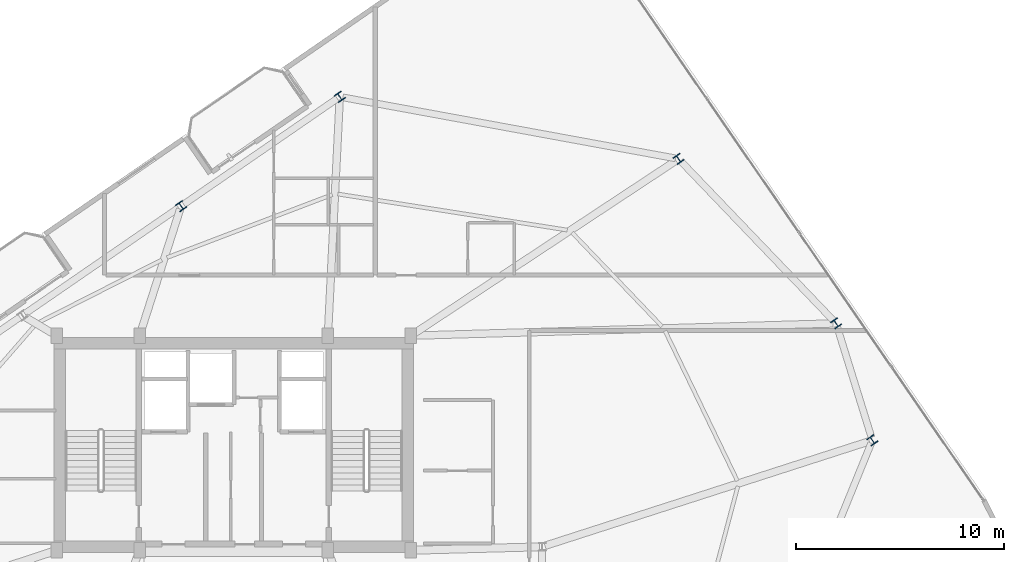
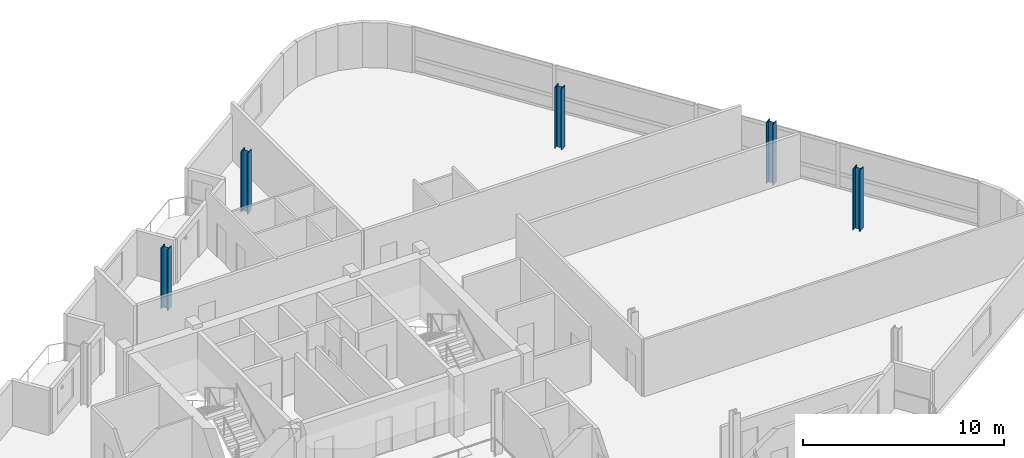
# One storey, part 2 of 21: 5 columns.
"""IFC4 building model written with IfcOpenShell, lengths in metres."""

from ifc_helpers import new_model, si_unit, direction, frame, origin, origin_2d, place, context, subcontext, project, spatial, i_section, extrude, material, material_profile, profile_set, type_object, element, save


model = new_model("IFC4")

# Units and contexts
model_context = context("Model", 3, precision=1e-05, world=origin(), true_north=direction((0.0, 1.0)))
body_context = subcontext(model_context, "Body", "Model", "MODEL_VIEW")
ifc_project = project(units=[si_unit("LENGTHUNIT", "METRE"), si_unit("AREAUNIT", "SQUARE_METRE"), si_unit("VOLUMEUNIT", "CUBIC_METRE"), si_unit("PLANEANGLEUNIT", "RADIAN"), si_unit("MASSUNIT", "GRAM", prefix="KILO")], contexts=[model_context])

# Site, building, storey
site_placement = place(None, origin())
site = spatial("IfcSite", under=ifc_project, at=site_placement, CompositionType="ELEMENT")
building_placement = place(site_placement, origin())
building = spatial("IfcBuilding", under=site, at=building_placement, Name="Varnelok Gate Tower", CompositionType="ELEMENT")
storey_placement = place(building_placement, frame((0.0, 0.0, 269.300048828125)))
storey = spatial("IfcBuildingStorey", under=building, at=storey_placement, Name="L69", CompositionType="ELEMENT", Elevation=269.300048828125)

# Columns
ifc_material = material(Name="Structural Steel ASTM A992 Grade 50", Category="steel")
ifc_material_profile = material_profile(ifc_material, i_section(OverallWidth=0.40087890625, OverallDepth=0.39892578125, WebThickness=0.02490234375, FlangeThickness=0.03955078125, FilletRadius=0.02197265625, at=origin_2d()), Name="W14X211")
ifc_profile_set = profile_set([ifc_material_profile], Name="Structural Steel ASTM A992 Grade 50")
column_type = type_object("IfcColumnType", Name="COL-W14X211", PredefinedType="COLUMN", material=ifc_profile_set)
for number, where, z_axis, x_axis, name in (
    (1, (69.856689453125, 34.031494140625, 0.0), (0.0, 0.0, 1.0), (0.823532597628, 0.567268949127, 0.0), "L69 B6 Perimeter Column PC06"),
    (2, (68.115478515625, 39.644287109375, 0.0), (0.0, 0.0, 1.0), (0.823532597628, 0.567268949127, 0.0), "L69 B6 Perimeter Column PC07"),
    (3, (60.5537109375, 47.537353515625, 0.0), (0.0, 0.0, 1.0), (0.823532597628, 0.567268949127, 0.0), "L69 B6 Perimeter Column PC08"),
    (4, (44.29248046875, 50.519287109375, 0.0), (0.0, 0.0, 1.0), (0.823532597628, 0.567268949127, 0.0), "L69 B6 Perimeter Column PC09"),
    (5, (36.6748046875, 45.27197265625, 0.0), (0.0, 0.0, 1.0), (0.823532597628, 0.567268949127, 0.0), "L69 B6 Perimeter Column PC10"),
):
    element("IfcColumn", number, at=place(storey_placement, frame(where, z_axis=z_axis, x_axis=x_axis)), inside=storey, type_object=column_type, Name=name, PredefinedType="COLUMN", context=body_context, shape_type="SweptSolid", body=[
        extrude(i_section(OverallWidth=0.40087890625, OverallDepth=0.39892578125, WebThickness=0.02490234375, FlangeThickness=0.03955078125, FilletRadius=0.02197265625, at=origin_2d()), origin(), (0.0, 0.0, 1.0), 3.699951171875),
    ])

save(model, "model.ifc")
